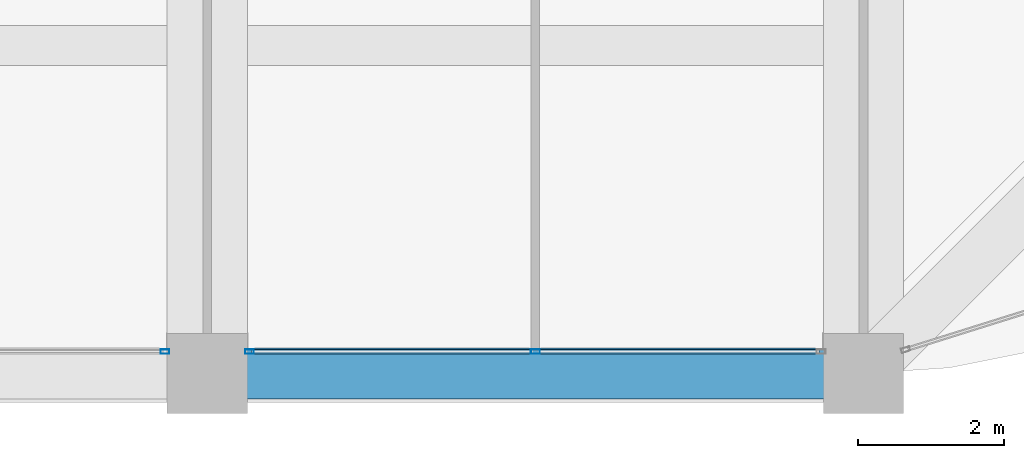
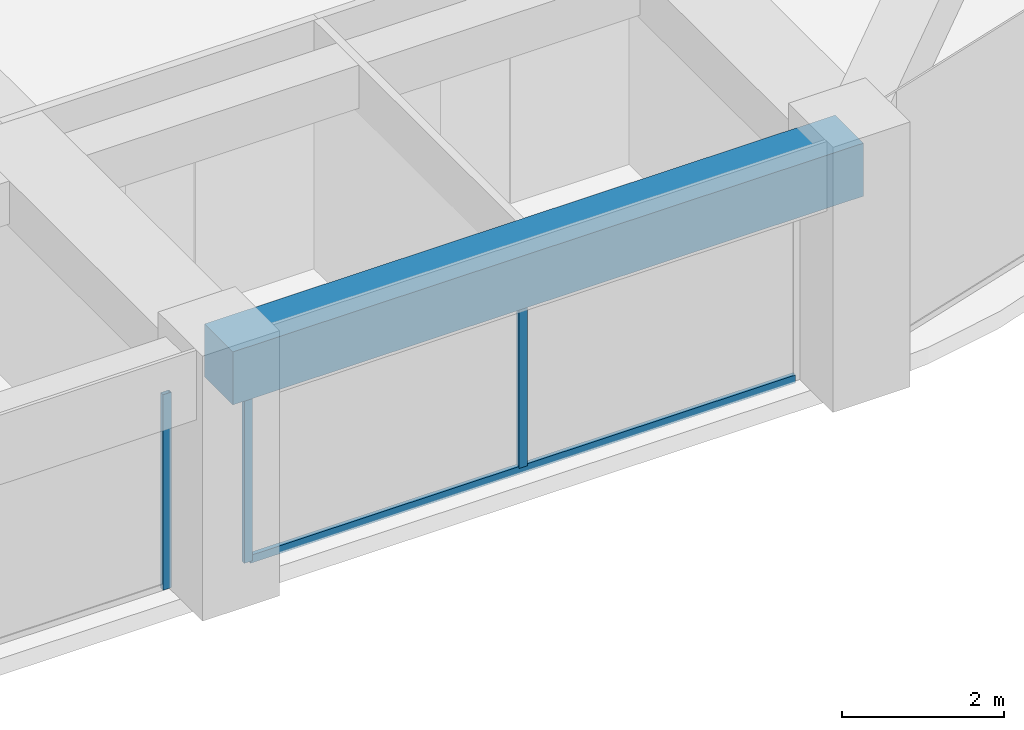
# One storey, part 11 of 44: 4 members, 1 beam, 2 elements without a shape of their own.
"""IFC4 building model written with IfcOpenShell, lengths in metres."""

from ifc_helpers import new_model, si_unit, direction, frame, origin, origin_2d, place, context, subcontext, project, spatial, rectangle, hollow_rectangle, extrude, material, material_profile, profile_set, type_object, element, aggregate, save


model = new_model("IFC4")

# Units and contexts
model_context = context("Model", 3, precision=1e-05, world=origin(), true_north=direction((0.0, 1.0)))
body_context = subcontext(model_context, "Body", "Model", "MODEL_VIEW")
ifc_project = project(units=[si_unit("LENGTHUNIT", "METRE"), si_unit("AREAUNIT", "SQUARE_METRE"), si_unit("VOLUMEUNIT", "CUBIC_METRE"), si_unit("PLANEANGLEUNIT", "RADIAN"), si_unit("MASSUNIT", "GRAM", prefix="KILO")], contexts=[model_context])

# Site, building, storey
site_placement = place(None, origin())
site = spatial("IfcSite", under=ifc_project, at=site_placement, CompositionType="ELEMENT")
building_placement = place(site_placement, origin())
building = spatial("IfcBuilding", under=site, at=building_placement, Name="Zorevar Civic Tower", CompositionType="ELEMENT")
storey_placement = place(building_placement, frame((0.0, 0.0, 295.39990234375)))
storey = spatial("IfcBuildingStorey", under=building, at=storey_placement, Name="L72", CompositionType="ELEMENT", Elevation=295.39990234375)

# Curtain wall, member
ifc_material_1 = material(Name="Dark grey solar-control glass in black aluminium frame", Category="aluminium")
curtain_wall_type = type_object("IfcCurtainWallType", Name="Curtain wall CW5 top zone", PredefinedType="NOTDEFINED", material=ifc_material_1)
curtain_wall_1_placement = place(storey_placement, origin())
curtain_wall_1 = element("IfcCurtainWall", 1, at=curtain_wall_1_placement, inside=storey, type_object=curtain_wall_type, Name="CW5 L72", PredefinedType="NOTDEFINED")
ifc_material_2 = material(Name="Aluminium, black anodised", Category="aluminium")
ifc_material_profile_1 = material_profile(ifc_material_2, hollow_rectangle(XDim=0.06005859375, YDim=0.1201171875, WallThickness=0.0029296875, at=origin_2d()), Name="AL 120x60x3")
ifc_profile_set_1 = profile_set([ifc_material_profile_1], Name="Aluminium, black anodised")
member_type_1 = type_object("IfcMemberType", Name="CW5 mullion AL 120x60x3", PredefinedType="MULLION", material=ifc_profile_set_1)
member_1_placement = place(storey_placement, frame((35.419921875, 0.300048828125, 0.0), z_axis=(0.0, 0.0, 1.0), x_axis=(0.0, 1.0, 0.0)))
member_1 = element("IfcMember", 2, at=member_1_placement, type_object=member_type_1, Name="CW5 mullion 3", PredefinedType="MULLION", context=body_context, shape_type="SweptSolid", body=[
    extrude(hollow_rectangle(XDim=0.06005859375, YDim=0.1201171875, WallThickness=0.0029296875, at=origin_2d()), origin(), (0.0, 0.0, 1.0), 2.9501953125),
])
aggregate(curtain_wall_1, [member_1])

# Curtain wall, members
curtain_wall_2_placement = place(storey_placement, origin())
curtain_wall_2 = element("IfcCurtainWall", 3, at=curtain_wall_2_placement, inside=storey, type_object=curtain_wall_type, Name="CW5 L72", PredefinedType="NOTDEFINED")
member_2_placement = place(storey_placement, frame((36.580078125, 0.300048828125, 0.0), z_axis=(0.0, 0.0, 1.0), x_axis=(0.0, 1.0, 0.0)))
member_2 = element("IfcMember", 4, at=member_2_placement, type_object=member_type_1, Name="CW5 mullion 1", PredefinedType="MULLION", context=body_context, shape_type="SweptSolid", body=[
    extrude(hollow_rectangle(XDim=0.06005859375, YDim=0.1201171875, WallThickness=0.0029296875, at=origin_2d()), origin(), (0.0, 0.0, 1.0), 2.9501953125),
])
member_3_placement = place(storey_placement, frame((40.5, 0.300048828125, 0.06005859375), z_axis=(0.0, 0.0, 1.0), x_axis=(0.0, 1.0, 0.0)))
member_3 = element("IfcMember", 5, at=member_3_placement, type_object=member_type_1, Name="CW5 mullion 2", PredefinedType="MULLION", context=body_context, shape_type="SweptSolid", body=[
    extrude(hollow_rectangle(XDim=0.06005859375, YDim=0.1201171875, WallThickness=0.0029296875, at=origin_2d()), origin(), (0.0, 0.0, 1.0), 2.89013671875),
])
ifc_material_3 = material(Name="Aluminium, black anodised", Category="aluminium")
ifc_material_profile_2 = material_profile(ifc_material_3, hollow_rectangle(XDim=0.06005859375, YDim=0.1201171875, WallThickness=0.0029296875, at=origin_2d()), Name="AL 120x60x3")
ifc_profile_set_2 = profile_set([ifc_material_profile_2], Name="Aluminium, black anodised")
member_type_2 = type_object("IfcMemberType", Name="CW5 transom AL 120x60x3", PredefinedType="USERDEFINED", material=ifc_profile_set_2)
member_4_placement = place(storey_placement, frame((36.610107421875, 0.300048828125, 0.030029296875), z_axis=(1.0, 0.0, 0.0), x_axis=(0.0, 1.0, 0.0)))
member_4 = element("IfcMember", 6, at=member_4_placement, type_object=member_type_2, Name="CW5 sill transom", ObjectType="TRANSOM", PredefinedType="USERDEFINED", context=body_context, shape_type="SweptSolid", body=[
    extrude(hollow_rectangle(XDim=0.06005859375, YDim=0.1201171875, WallThickness=0.0029296875, at=origin_2d()), origin(), (0.0, 0.0, 1.0), 7.77978515625),
])
aggregate(curtain_wall_2, [member_2, member_3, member_4])

# Beam
ifc_material_4 = material(Name="Concrete C50/60", Category="concrete")
ifc_material_profile_3 = material_profile(ifc_material_4, rectangle(XDim=0.699951171875, YDim=0.800048828125, at=origin_2d()), Name="RC 700x800")
ifc_profile_set_3 = profile_set([ifc_material_profile_3], Name="Concrete C50/60")
beam_type = type_object("IfcBeamType", Name="Edge beam RC 700x800", PredefinedType="SPANDREL", material=ifc_profile_set_3)
beam_placement = place(storey_placement, frame((36.0, 0.0, 3.35009765625), z_axis=(1.0, 0.0, 0.0), x_axis=(0.0, 1.0, 0.0)))
element("IfcBeam", 7, at=beam_placement, inside=storey, type_object=beam_type, Name="Edge beam L73", PredefinedType="SPANDREL", context=body_context, shape_type="SweptSolid", body=[
    extrude(rectangle(XDim=0.699951171875, YDim=0.800048828125, at=origin_2d()), origin(), (0.0, 0.0, 1.0), 9.0),
])

save(model, "model.ifc")
